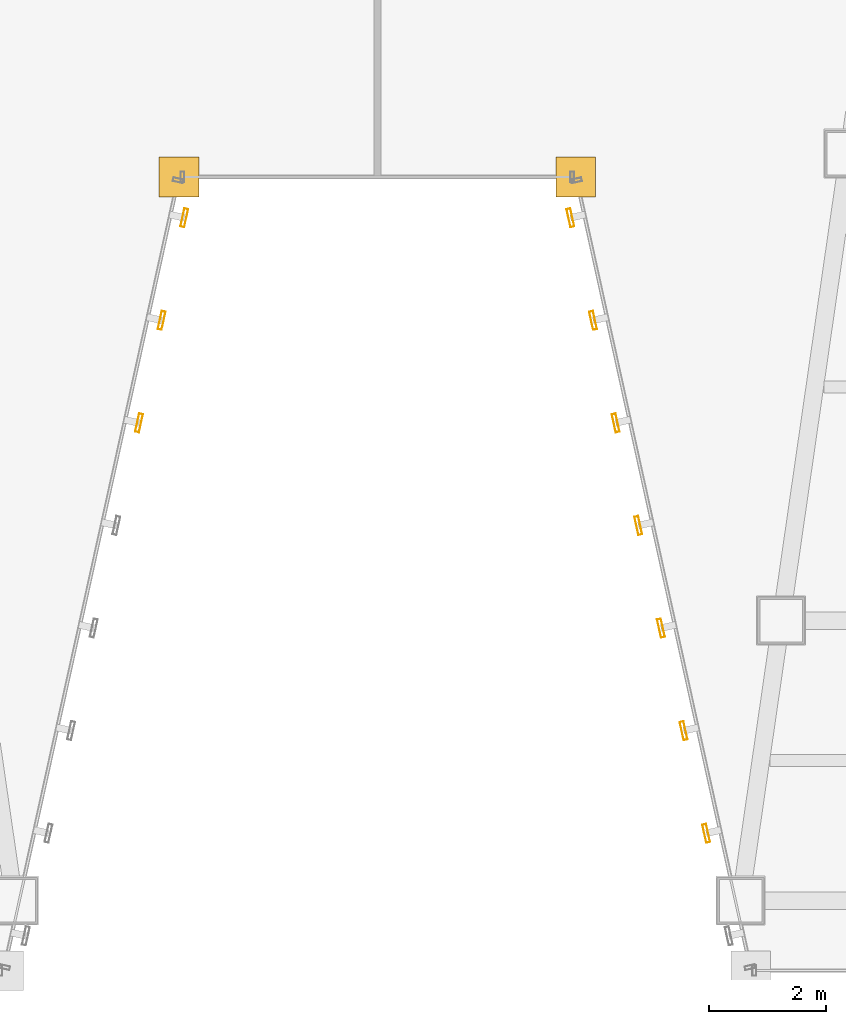
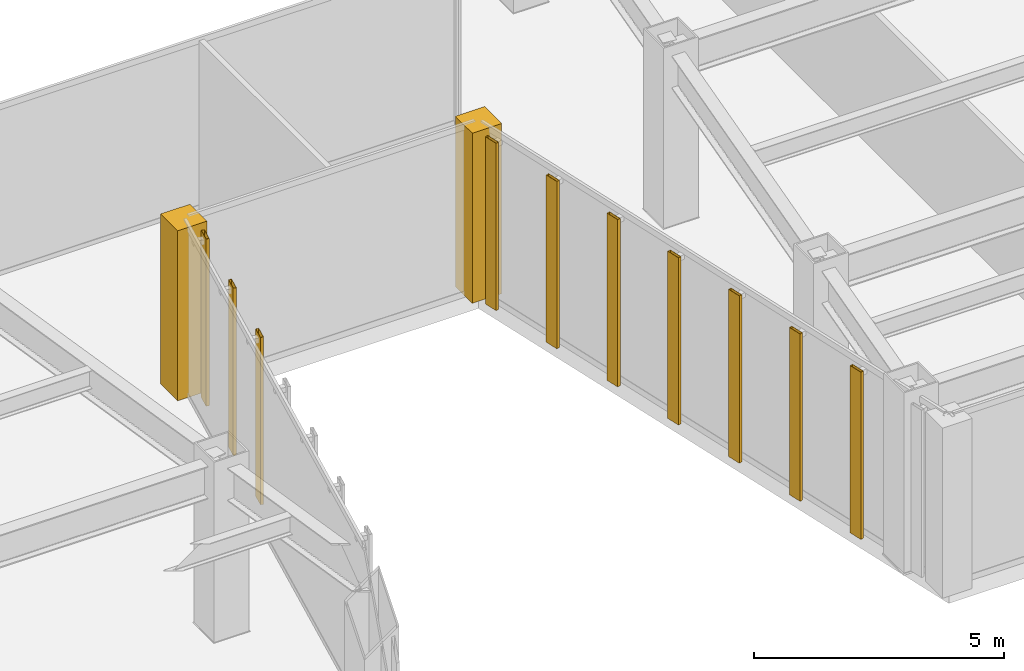
# One storey, part 42 of 49: 10 shading devices, 2 coverings.
"""IFC4 building model written with IfcOpenShell, lengths in metres."""

import ifcopenshell
import ifcopenshell.guid

model = None  # the IFC model being written
_history = None  # IfcOwnerHistory: only IFC2X3 demands one
_inside = {}  # id of a spatial element -> (the spatial element, [elements in it])
_under = {}  # id of a project, library or spatial element -> (it, [spatial elements below it])
_declared = {}  # id of a project -> (the project, [libraries it declares])
_typed = {}  # id of a type object -> (the type object, [elements of that type])
_made_of = {}  # id of a material, layer set ... -> (it, [elements and type objects made of it])


def new_model(schema):
    """Start an empty IFC model of exactly this schema.

    Asked for "IFC4X3", IfcOpenShell would pick the latest addendum, in which some entities
    have other attributes; the version numbers below select the first issue.
    IFC2X3 requires an IfcOwnerHistory on every rooted entity: one is made here for all.
    """
    global model, _history
    if schema == "IFC4X3":
        model = ifcopenshell.file(schema_version=(4, 3, 0, 0))
    else:
        model = ifcopenshell.file(schema=schema)
    _inside.clear()
    _under.clear()
    _declared.clear()
    _typed.clear()
    _made_of.clear()
    _history = None
    if model.schema == "IFC2X3":
        org = make("IfcOrganization", Name="unknown")
        user = make(
            "IfcPersonAndOrganization",
            ThePerson=make("IfcPerson", FamilyName="unknown"),
            TheOrganization=org,
        )
        app = make(
            "IfcApplication",
            ApplicationDeveloper=org,
            Version="unknown",
            ApplicationFullName="unknown",
            ApplicationIdentifier="unknown",
        )
        _history = make(
            "IfcOwnerHistory",
            OwningUser=user,
            OwningApplication=app,
            ChangeAction="ADDED",
            CreationDate=0,
        )
    return model


def make(cls, **values):
    """One entity of the class cls with the attributes given. An attribute that is None is left unset."""
    return model.create_entity(
        cls, **{name: value for name, value in values.items() if value is not None}
    )


def rooted(cls, **values):
    """An entity with a GlobalId (a new one), such as an element, a storey or a relation."""
    return make(cls, GlobalId=ifcopenshell.guid.new(), OwnerHistory=_history, **values)


def si_unit(unit_type, name, prefix=None):
    """IfcSIUnit, for example si_unit("LENGTHUNIT", "METRE", prefix="MILLI")."""
    return make("IfcSIUnit", UnitType=unit_type, Prefix=prefix, Name=name)


def assignment(units):
    """IfcUnitAssignment: the units of a project."""
    return None if units is None else make("IfcUnitAssignment", Units=units)


def point(xyz):
    """IfcCartesianPoint."""
    return None if xyz is None else make("IfcCartesianPoint", Coordinates=xyz)


def direction(xyz):
    """IfcDirection."""
    return None if xyz is None else make("IfcDirection", DirectionRatios=xyz)


def frame(location, z_axis=None, x_axis=None):
    """IfcAxis2Placement3D, a coordinate frame: its origin and axes. An axis left out is left unset."""
    return make(
        "IfcAxis2Placement3D",
        Location=point(location),
        Axis=direction(z_axis),
        RefDirection=direction(x_axis),
    )


def frame_2d(location, x_axis=None):
    """IfcAxis2Placement2D, a coordinate frame in the plane: its origin and x axis."""
    return make(
        "IfcAxis2Placement2D", Location=point(location), RefDirection=direction(x_axis)
    )


def origin():
    """The frame at (0, 0, 0) with its axes left unset."""
    return frame((0.0, 0.0, 0.0))


def origin_2d():
    """The frame at (0, 0) in the plane with its x axis left unset."""
    return frame_2d((0.0, 0.0))


def place(relative_to, where):
    """IfcLocalPlacement: puts the frame where relative to a parent placement (None: the world)."""
    return make(
        "IfcLocalPlacement", PlacementRelTo=relative_to, RelativePlacement=where
    )


def context(
    kind, dimensions, precision=None, world=None, true_north=None, identifier=None
):
    """IfcGeometricRepresentationContext, for example the 3D "Model" context."""
    return make(
        "IfcGeometricRepresentationContext",
        ContextIdentifier=identifier,
        ContextType=kind,
        CoordinateSpaceDimension=dimensions,
        Precision=precision,
        WorldCoordinateSystem=world,
        TrueNorth=true_north,
    )


def subcontext(parent, identifier, kind, view, scale=None):
    """IfcGeometricRepresentationSubContext, for example "Body" below "Model"."""
    return make(
        "IfcGeometricRepresentationSubContext",
        ContextIdentifier=identifier,
        ContextType=kind,
        ParentContext=parent,
        TargetScale=scale,
        TargetView=view,
    )


def project(units=None, contexts=None):
    """IfcProject with its units and contexts."""
    return rooted(
        "IfcProject",
        Name="project",
        RepresentationContexts=contexts,
        UnitsInContext=assignment(units),
    )


def spatial(cls, under=None, at=None, **own):
    """A site, building, storey or space (cls), placed at a placement, below another one or the project."""
    s = rooted(cls, ObjectPlacement=at, **own)
    if under is not None:
        _under.setdefault(under.id(), (under, []))[1].append(s)
    return s


def polyline(points):
    """IfcPolyline through the points."""
    return make("IfcPolyline", Points=[point(p) for p in points])


def profile(cls, at=None, kind="AREA", **sizes):
    """A parametric profile (cls). Its sizes go by their IFC names, for example OverallWidth=200.0."""
    return make(cls, ProfileType=kind, Position=at, **sizes)


def hollow_rectangle(**sizes):
    """IfcRectangleHollowProfileDef."""
    return profile("IfcRectangleHollowProfileDef", **sizes)


def outline(outer, holes=None, kind="AREA"):
    """IfcArbitraryClosedProfileDef: a profile drawn as a closed curve; with holes, ...WithVoids."""
    if holes is None:
        return make("IfcArbitraryClosedProfileDef", ProfileType=kind, OuterCurve=outer)
    return make(
        "IfcArbitraryProfileDefWithVoids",
        ProfileType=kind,
        OuterCurve=outer,
        InnerCurves=holes,
    )


def extrude(swept, where, along, depth):
    """IfcExtrudedAreaSolid: the profile swept, set in the frame where, extruded along a direction by depth."""
    return make(
        "IfcExtrudedAreaSolid",
        SweptArea=swept,
        Position=where,
        ExtrudedDirection=direction(along),
        Depth=depth,
    )


def shape(context_of_items, identifier, shape_type, items):
    """IfcShapeRepresentation: the items that make up one representation, for example the "Body"."""
    return make(
        "IfcShapeRepresentation",
        ContextOfItems=context_of_items,
        RepresentationIdentifier=identifier,
        RepresentationType=shape_type,
        Items=items,
    )


def material(Name=None, Category=None):
    """IfcMaterial."""
    return make("IfcMaterial", Name=Name, Category=Category)


def layer(
    of_material, thickness, ventilated=None, Name=None, Category=None, Priority=None
):
    """IfcMaterialLayer: one layer of a wall or slab, of a material (None: an air gap)."""
    return make(
        "IfcMaterialLayer",
        Material=of_material,
        LayerThickness=thickness,
        IsVentilated=ventilated,
        Name=Name,
        Category=Category,
        Priority=Priority,
    )


def layer_set(layers, Name=None):
    """IfcMaterialLayerSet."""
    return make("IfcMaterialLayerSet", MaterialLayers=layers, LayerSetName=Name)


def material_profile(
    of_material, cross_section, Name=None, Category=None, Priority=None
):
    """IfcMaterialProfile: a cross section and its material."""
    return make(
        "IfcMaterialProfile",
        Name=Name,
        Material=of_material,
        Profile=cross_section,
        Priority=Priority,
        Category=Category,
    )


def profile_set(profiles, Name=None, composite=None):
    """IfcMaterialProfileSet."""
    return make(
        "IfcMaterialProfileSet",
        Name=Name,
        MaterialProfiles=profiles,
        CompositeProfile=composite,
    )


def made_of(thing, what):
    """Note that an element or type object is made of a material, layer set ...; save() writes the relation."""
    if what is not None:
        _made_of.setdefault(what.id(), (what, []))[1].append(thing)
    return thing


def type_object(cls, material=None, **own):
    """A type object (cls), such as IfcWallType, which elements share."""
    return made_of(rooted(cls, **own), material)


def element(
    cls,
    number,
    at=None,
    inside=None,
    cuts=None,
    type_object=None,
    material=None,
    context=None,
    identifier="Body",
    shape_type=None,
    held_by="IfcProductDefinitionShape",
    body=None,
    shapes=None,
    **own,
):
    """One element of the class cls, such as IfcWall. Its Tag is "e" and its number.

    at: its placement. inside: the storey or other place that contains it. cuts: it is an
    opening in that element (IfcRelVoidsElement). A single representation is given by context,
    identifier, shape_type and body (its items); several are given by shapes. held_by: the class
    of the entity that holds the representations. save() writes the other relations.
    """
    e = rooted(cls, Tag="e%d" % number, ObjectPlacement=at, **own)
    if body is not None:
        shapes = [shape(context, identifier, shape_type, body)]
    if shapes is not None:
        e.Representation = make(held_by, Representations=shapes)
    if inside is not None:
        _inside.setdefault(inside.id(), (inside, []))[1].append(e)
    if cuts is not None:
        rooted(
            "IfcRelVoidsElement", RelatingBuildingElement=cuts, RelatedOpeningElement=e
        )
    if type_object is not None:
        _typed.setdefault(type_object.id(), (type_object, []))[1].append(e)
    return made_of(e, material)


def aggregate(whole, parts):
    """IfcRelAggregates: a whole, such as a stair, and the parts it consists of."""
    return rooted("IfcRelAggregates", RelatingObject=whole, RelatedObjects=parts)


def save(model, path):
    """Write the relations noted so far, then the file.

    IfcRelAggregates (storeys below a building ...), IfcRelContainedInSpatialStructure (elements
    in a storey), IfcRelDefinesByType, IfcRelAssociatesMaterial and IfcRelDeclares: one each for
    every whole, place, type object, material and project.
    """
    for whole, parts in _under.values():
        aggregate(whole, parts)
    for where, things in _inside.values():
        rooted(
            "IfcRelContainedInSpatialStructure",
            RelatedElements=things,
            RelatingStructure=where,
        )
    for kind, things in _typed.values():
        rooted("IfcRelDefinesByType", RelatedObjects=things, RelatingType=kind)
    for what, things in _made_of.values():
        rooted("IfcRelAssociatesMaterial", RelatedObjects=things, RelatingMaterial=what)
    for by, libraries in _declared.values():
        rooted("IfcRelDeclares", RelatingContext=by, RelatedDefinitions=libraries)
    model.write(path)


model = new_model("IFC4")

# Units and contexts
model_context = context("Model", 3, precision=1e-05, world=origin(), true_north=direction((0.0, 1.0)))
body_context = subcontext(model_context, "Body", "Model", "MODEL_VIEW")
ifc_project = project(units=[si_unit("LENGTHUNIT", "METRE"), si_unit("AREAUNIT", "SQUARE_METRE"), si_unit("VOLUMEUNIT", "CUBIC_METRE"), si_unit("PLANEANGLEUNIT", "RADIAN"), si_unit("MASSUNIT", "GRAM", prefix="KILO")], contexts=[model_context])

# Site, building, storey
site_placement = place(None, origin())
site = spatial("IfcSite", under=ifc_project, at=site_placement, CompositionType="ELEMENT")
building_placement = place(site_placement, origin())
building = spatial("IfcBuilding", under=site, at=building_placement, Name="Saevonmaru Cultural Tower", CompositionType="ELEMENT")
storey_placement = place(building_placement, frame((0.0, 0.0, 38.39990234375)))
storey = spatial("IfcBuildingStorey", under=building, at=storey_placement, Name="L07", CompositionType="ELEMENT", Elevation=38.39990234375)

# Coverings
ifc_material = material(Name="Satin Bronze Anodised Aluminium", Category="aluminium")
ifc_layer = layer(ifc_material, 0.679931640625, Name="Satin Bronze Anodised Aluminium")
ifc_layer_set = layer_set([ifc_layer], Name="Satin Bronze Anodised Aluminium")
covering_type = type_object("IfcCoveringType", Name="CV-CORNER-CLAD", PredefinedType="CLADDING", material=ifc_layer_set)
covering_1_placement = place(storey_placement, origin())
element("IfcCovering", 1, at=covering_1_placement, inside=storey, type_object=covering_type, Name="L07 Tower Bronze Corner Cladding Pier 4", PredefinedType="CLADDING", context=body_context, shape_type="SweptSolid", body=[
    extrude(outline(polyline([(26.260009765625, 15.260009765625), (26.93994140625, 15.260009765625), (26.93994140625, 15.93994140625), (26.260009765625, 15.93994140625), (26.260009765625, 15.260009765625)])), origin(), (0.0, 0.0, 1.0), 4.150146484375),
])
covering_2_placement = place(storey_placement, origin())
element("IfcCovering", 2, at=covering_2_placement, inside=storey, type_object=covering_type, Name="L07 Tower Bronze Corner Cladding Pier 5", PredefinedType="CLADDING", context=body_context, shape_type="SweptSolid", body=[
    extrude(outline(polyline([(33.06005859375, 15.260009765625), (33.739990234375, 15.260009765625), (33.739990234375, 15.93994140625), (33.06005859375, 15.93994140625), (33.06005859375, 15.260009765625)])), origin(), (0.0, 0.0, 1.0), 4.150146484375),
])

# Shading devices
ifc_material_profile = material_profile(ifc_material, hollow_rectangle(XDim=0.070068359375, YDim=0.320068359375, WallThickness=0.0048828125, at=origin_2d()), Name="FIN-320x70")
ifc_profile_set = profile_set([ifc_material_profile], Name="Satin Bronze Anodised Aluminium")
shading_device_type = type_object("IfcShadingDeviceType", Name="SHD-FIN-320", PredefinedType="JALOUSIE", material=ifc_profile_set)
for number, where, z_axis, x_axis, name in (
    (3, (25.916015625, 11.385009765625, 0.050048828125), (0.0, 0.0, 1.0), (0.976522126798, -0.215417120661, 0.0), "L07 Art Deco Sawtooth Bronze Fin E3-06"),
    (4, (26.3037109375, 13.142578125, 0.050048828125), (0.0, 0.0, 1.0), (0.976522126798, -0.215417120661, 0.0), "L07 Art Deco Sawtooth Bronze Fin E3-07"),
    (5, (26.69140625, 14.900390625, 0.050048828125), (0.0, 0.0, 1.0), (0.976522126798, -0.215417120661, 0.0), "L07 Art Deco Sawtooth Bronze Fin E3-08"),
    (6, (33.30859375, 14.900390625, 0.050048828125), (0.0, 0.0, 1.0), (-0.976522126798, -0.215417120661, 0.0), "L07 Art Deco Sawtooth Bronze Fin E5-01"),
    (7, (33.6962890625, 13.142578125, 0.050048828125), (0.0, 0.0, 1.0), (-0.976522126798, -0.215417120661, 0.0), "L07 Art Deco Sawtooth Bronze Fin E5-02"),
    (8, (34.083984375, 11.385009765625, 0.050048828125), (0.0, 0.0, 1.0), (-0.976522126798, -0.215417120661, 0.0), "L07 Art Deco Sawtooth Bronze Fin E5-03"),
    (9, (34.4716796875, 9.627197265625, 0.050048828125), (0.0, 0.0, 1.0), (-0.976522126798, -0.215417120661, 0.0), "L07 Art Deco Sawtooth Bronze Fin E5-04"),
    (10, (34.859619140625, 7.869384765625, 0.050048828125), (0.0, 0.0, 1.0), (-0.976522126798, -0.215417120661, 0.0), "L07 Art Deco Sawtooth Bronze Fin E5-05"),
    (11, (35.247314453125, 6.11181640625, 0.050048828125), (0.0, 0.0, 1.0), (-0.976522126798, -0.215417120661, 0.0), "L07 Art Deco Sawtooth Bronze Fin E5-06"),
    (12, (35.635009765625, 4.35400390625, 0.050048828125), (0.0, 0.0, 1.0), (-0.976522126798, -0.215417120661, 0.0), "L07 Art Deco Sawtooth Bronze Fin E5-07"),
):
    element("IfcShadingDevice", number, at=place(storey_placement, frame(where, z_axis=z_axis, x_axis=x_axis)), inside=storey, type_object=shading_device_type, Name=name, PredefinedType="JALOUSIE", context=body_context, shape_type="SweptSolid", body=[
        extrude(hollow_rectangle(XDim=0.070068359375, YDim=0.320068359375, WallThickness=0.0048828125, at=origin_2d()), origin(), (0.0, 0.0, 1.0), 4.080078125),
    ])

save(model, "model.ifc")
